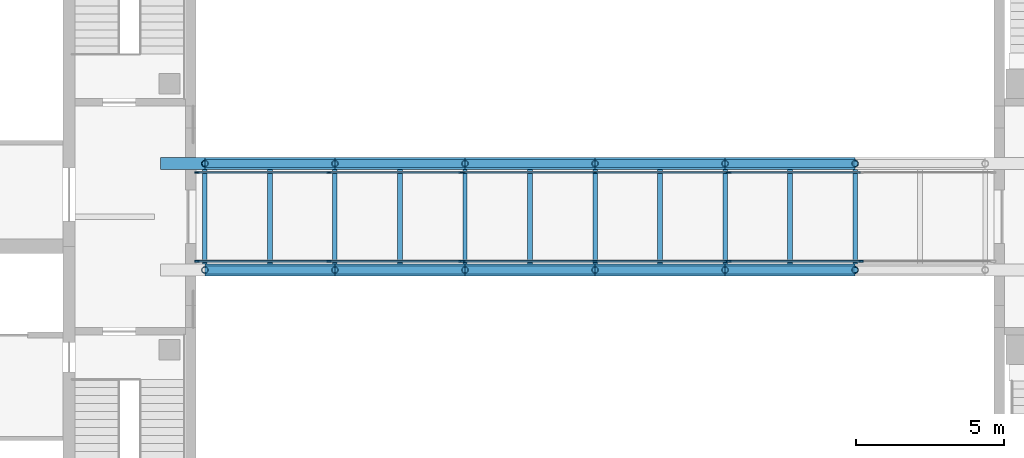
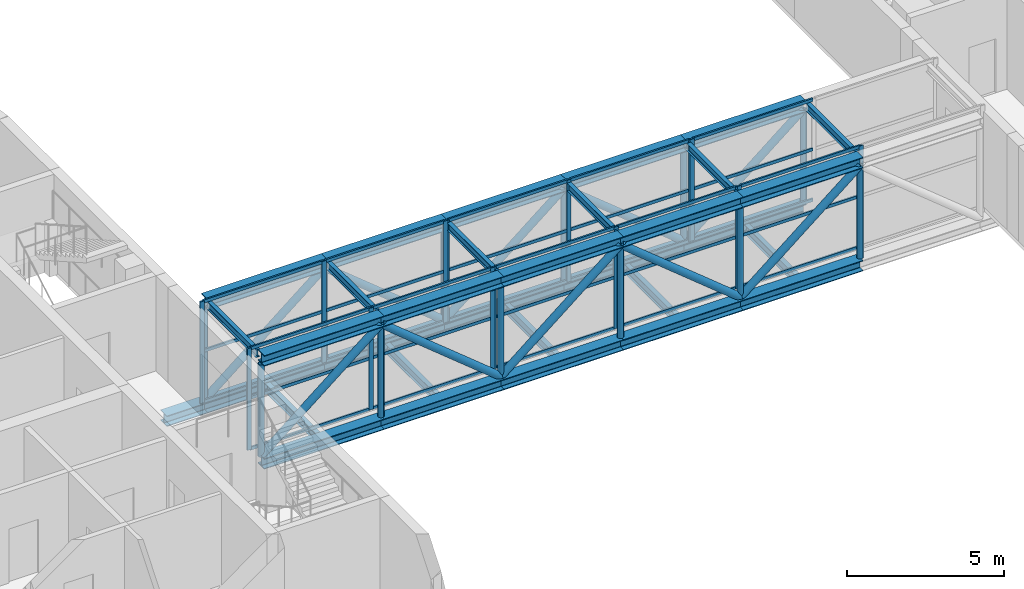
# One storey, part 5 of 21: 88 members, 11 beams, 6 elements without a shape of their own.
"""IFC4 building model written with IfcOpenShell, lengths in metres."""

from ifc_helpers import new_model, si_unit, direction, frame, origin, origin_2d, place, context, subcontext, project, spatial, rectangle, hollow_circle, i_section, extrude, material, material_profile, profile_set, type_object, element, aggregate, save


model = new_model("IFC4")

# Units and contexts
model_context = context("Model", 3, precision=1e-05, world=origin(), true_north=direction((0.0, 1.0)))
body_context = subcontext(model_context, "Body", "Model", "MODEL_VIEW")
ifc_project = project(units=[si_unit("LENGTHUNIT", "METRE"), si_unit("AREAUNIT", "SQUARE_METRE"), si_unit("VOLUMEUNIT", "CUBIC_METRE"), si_unit("PLANEANGLEUNIT", "RADIAN"), si_unit("MASSUNIT", "GRAM", prefix="KILO")], contexts=[model_context])

# Site, building, storey
site_placement = place(None, origin())
site = spatial("IfcSite", under=ifc_project, at=site_placement, CompositionType="ELEMENT")
building_placement = place(site_placement, origin())
building = spatial("IfcBuilding", under=site, at=building_placement, Name="Cinnabar Reach Civic Tower", CompositionType="ELEMENT")
storey_placement = place(building_placement, frame((0.0, 0.0, 140.0)))
storey = spatial("IfcBuildingStorey", under=building, at=storey_placement, Name="L33", CompositionType="ELEMENT", Elevation=140.0)

# Curtain wall, members
ifc_material_1 = material(Name="Aluminium and insulated spandrel panels", Category="aluminium")
curtain_wall_type = type_object("IfcCurtainWallType", Name="Bridge 2 enclosure curtain wall", PredefinedType="NOTDEFINED", material=ifc_material_1)
curtain_wall_1_placement = place(storey_placement, origin())
curtain_wall_1 = element("IfcCurtainWall", 1, at=curtain_wall_1_placement, inside=storey, type_object=curtain_wall_type, Name="Bridge 2 enclosure 1", PredefinedType="NOTDEFINED")
ifc_material_2 = material(Name="Aluminium", Category="aluminium")
ifc_material_profile_1 = material_profile(ifc_material_2, rectangle(XDim=0.06, YDim=0.16, at=origin_2d()), Name="Bridge 2 enclosure mullion")
ifc_profile_set_1 = profile_set([ifc_material_profile_1], Name="Aluminium")
member_type_1 = type_object("IfcMemberType", Name="Bridge 2 enclosure mullion", PredefinedType="MULLION", material=ifc_profile_set_1)
member_1_placement = place(storey_placement, frame((-26.97, 30.0, 0.0), z_axis=(0.0, 0.0, 1.0), x_axis=(0.0, 1.0, 0.0)))
member_1 = element("IfcMember", 2, at=member_1_placement, type_object=member_type_1, Name="CW-BR2-1 mullion 1", PredefinedType="MULLION", context=body_context, shape_type="SweptSolid", body=[
    extrude(rectangle(XDim=0.06, YDim=0.16, at=origin_2d()), origin(), (0.0, 0.0, 1.0), 3.95),
])
member_2_placement = place(storey_placement, frame((-22.5, 30.0, 0.0), z_axis=(0.0, 0.0, 1.0), x_axis=(0.0, 1.0, 0.0)))
member_2 = element("IfcMember", 3, at=member_2_placement, type_object=member_type_1, Name="CW-BR2-1 mullion 2", PredefinedType="MULLION", context=body_context, shape_type="SweptSolid", body=[
    extrude(rectangle(XDim=0.06, YDim=0.16, at=origin_2d()), origin(), (0.0, 0.0, 1.0), 3.95),
])
member_3_placement = place(storey_placement, frame((-18.03, 30.0, 0.0), z_axis=(0.0, 0.0, 1.0), x_axis=(0.0, 1.0, 0.0)))
member_3 = element("IfcMember", 4, at=member_3_placement, type_object=member_type_1, Name="CW-BR2-1 mullion 3", PredefinedType="MULLION", context=body_context, shape_type="SweptSolid", body=[
    extrude(rectangle(XDim=0.06, YDim=0.16, at=origin_2d()), origin(), (0.0, 0.0, 1.0), 3.95),
])

curtain_wall_2_placement = place(storey_placement, origin())
curtain_wall_2 = element("IfcCurtainWall", 5, at=curtain_wall_2_placement, inside=storey, type_object=curtain_wall_type, Name="Bridge 2 enclosure 2", PredefinedType="NOTDEFINED")
member_4_placement = place(storey_placement, frame((-17.97, 30.0, 0.0), z_axis=(0.0, 0.0, 1.0), x_axis=(0.0, 1.0, 0.0)))
member_4 = element("IfcMember", 6, at=member_4_placement, type_object=member_type_1, Name="CW-BR2-2 mullion 1", PredefinedType="MULLION", context=body_context, shape_type="SweptSolid", body=[
    extrude(rectangle(XDim=0.06, YDim=0.16, at=origin_2d()), origin(), (0.0, 0.0, 1.0), 3.95),
])
member_5_placement = place(storey_placement, frame((-13.5, 30.0, 0.0), z_axis=(0.0, 0.0, 1.0), x_axis=(0.0, 1.0, 0.0)))
member_5 = element("IfcMember", 7, at=member_5_placement, type_object=member_type_1, Name="CW-BR2-2 mullion 2", PredefinedType="MULLION", context=body_context, shape_type="SweptSolid", body=[
    extrude(rectangle(XDim=0.06, YDim=0.16, at=origin_2d()), origin(), (0.0, 0.0, 1.0), 3.95),
])
member_6_placement = place(storey_placement, frame((-9.03, 30.0, 0.0), z_axis=(0.0, 0.0, 1.0), x_axis=(0.0, 1.0, 0.0)))
member_6 = element("IfcMember", 8, at=member_6_placement, type_object=member_type_1, Name="CW-BR2-2 mullion 3", PredefinedType="MULLION", context=body_context, shape_type="SweptSolid", body=[
    extrude(rectangle(XDim=0.06, YDim=0.16, at=origin_2d()), origin(), (0.0, 0.0, 1.0), 3.95),
])

curtain_wall_3_placement = place(storey_placement, origin())
curtain_wall_3 = element("IfcCurtainWall", 9, at=curtain_wall_3_placement, inside=storey, type_object=curtain_wall_type, Name="Bridge 2 enclosure 3", PredefinedType="NOTDEFINED")
member_7_placement = place(storey_placement, frame((-8.97, 30.0, 0.0), z_axis=(0.0, 0.0, 1.0), x_axis=(0.0, 1.0, 0.0)))
member_7 = element("IfcMember", 10, at=member_7_placement, type_object=member_type_1, Name="CW-BR2-3 mullion 1", PredefinedType="MULLION", context=body_context, shape_type="SweptSolid", body=[
    extrude(rectangle(XDim=0.06, YDim=0.16, at=origin_2d()), origin(), (0.0, 0.0, 1.0), 3.95),
])
member_8_placement = place(storey_placement, frame((-4.5, 30.0, 0.0), z_axis=(0.0, 0.0, 1.0), x_axis=(0.0, 1.0, 0.0)))
member_8 = element("IfcMember", 11, at=member_8_placement, type_object=member_type_1, Name="CW-BR2-3 mullion 2", PredefinedType="MULLION", context=body_context, shape_type="SweptSolid", body=[
    extrude(rectangle(XDim=0.06, YDim=0.16, at=origin_2d()), origin(), (0.0, 0.0, 1.0), 3.95),
])

curtain_wall_4_placement = place(storey_placement, origin())
curtain_wall_4 = element("IfcCurtainWall", 12, at=curtain_wall_4_placement, inside=storey, type_object=curtain_wall_type, Name="Bridge 2 enclosure 4", PredefinedType="NOTDEFINED")
member_9_placement = place(storey_placement, frame((-26.97, 33.0, 0.0), z_axis=(0.0, 0.0, 1.0), x_axis=(0.0, 1.0, 0.0)))
member_9 = element("IfcMember", 13, at=member_9_placement, type_object=member_type_1, Name="CW-BR2-4 mullion 1", PredefinedType="MULLION", context=body_context, shape_type="SweptSolid", body=[
    extrude(rectangle(XDim=0.06, YDim=0.16, at=origin_2d()), origin(), (0.0, 0.0, 1.0), 3.95),
])
member_10_placement = place(storey_placement, frame((-22.5, 33.0, 0.0), z_axis=(0.0, 0.0, 1.0), x_axis=(0.0, 1.0, 0.0)))
member_10 = element("IfcMember", 14, at=member_10_placement, type_object=member_type_1, Name="CW-BR2-4 mullion 2", PredefinedType="MULLION", context=body_context, shape_type="SweptSolid", body=[
    extrude(rectangle(XDim=0.06, YDim=0.16, at=origin_2d()), origin(), (0.0, 0.0, 1.0), 3.95),
])
member_11_placement = place(storey_placement, frame((-18.03, 33.0, 0.0), z_axis=(0.0, 0.0, 1.0), x_axis=(0.0, 1.0, 0.0)))
member_11 = element("IfcMember", 15, at=member_11_placement, type_object=member_type_1, Name="CW-BR2-4 mullion 3", PredefinedType="MULLION", context=body_context, shape_type="SweptSolid", body=[
    extrude(rectangle(XDim=0.06, YDim=0.16, at=origin_2d()), origin(), (0.0, 0.0, 1.0), 3.95),
])

curtain_wall_5_placement = place(storey_placement, origin())
curtain_wall_5 = element("IfcCurtainWall", 16, at=curtain_wall_5_placement, inside=storey, type_object=curtain_wall_type, Name="Bridge 2 enclosure 5", PredefinedType="NOTDEFINED")
member_12_placement = place(storey_placement, frame((-17.97, 33.0, 0.0), z_axis=(0.0, 0.0, 1.0), x_axis=(0.0, 1.0, 0.0)))
member_12 = element("IfcMember", 17, at=member_12_placement, type_object=member_type_1, Name="CW-BR2-5 mullion 1", PredefinedType="MULLION", context=body_context, shape_type="SweptSolid", body=[
    extrude(rectangle(XDim=0.06, YDim=0.16, at=origin_2d()), origin(), (0.0, 0.0, 1.0), 3.95),
])
member_13_placement = place(storey_placement, frame((-13.5, 33.0, 0.0), z_axis=(0.0, 0.0, 1.0), x_axis=(0.0, 1.0, 0.0)))
member_13 = element("IfcMember", 18, at=member_13_placement, type_object=member_type_1, Name="CW-BR2-5 mullion 2", PredefinedType="MULLION", context=body_context, shape_type="SweptSolid", body=[
    extrude(rectangle(XDim=0.06, YDim=0.16, at=origin_2d()), origin(), (0.0, 0.0, 1.0), 3.95),
])
member_14_placement = place(storey_placement, frame((-9.03, 33.0, 0.0), z_axis=(0.0, 0.0, 1.0), x_axis=(0.0, 1.0, 0.0)))
member_14 = element("IfcMember", 19, at=member_14_placement, type_object=member_type_1, Name="CW-BR2-5 mullion 3", PredefinedType="MULLION", context=body_context, shape_type="SweptSolid", body=[
    extrude(rectangle(XDim=0.06, YDim=0.16, at=origin_2d()), origin(), (0.0, 0.0, 1.0), 3.95),
])

# Curtain wall, member
curtain_wall_6_placement = place(storey_placement, origin())
curtain_wall_6 = element("IfcCurtainWall", 20, at=curtain_wall_6_placement, inside=storey, type_object=curtain_wall_type, Name="Bridge 2 enclosure 6", PredefinedType="NOTDEFINED")
member_15_placement = place(storey_placement, frame((-8.97, 33.0, 0.0), z_axis=(0.0, 0.0, 1.0), x_axis=(0.0, 1.0, 0.0)))
member_15 = element("IfcMember", 21, at=member_15_placement, type_object=member_type_1, Name="CW-BR2-6 mullion 1", PredefinedType="MULLION", context=body_context, shape_type="SweptSolid", body=[
    extrude(rectangle(XDim=0.06, YDim=0.16, at=origin_2d()), origin(), (0.0, 0.0, 1.0), 3.95),
])

# Member
ifc_material_profile_2 = material_profile(ifc_material_2, rectangle(XDim=0.06, YDim=0.12, at=origin_2d()), Name="Bridge 2 enclosure transom")
ifc_profile_set_2 = profile_set([ifc_material_profile_2], Name="Aluminium")
member_type_2 = type_object("IfcMemberType", Name="Bridge 2 enclosure transom", PredefinedType="USERDEFINED", material=ifc_profile_set_2)
member_16_placement = place(storey_placement, frame((-26.94, 30.0, 0.03), z_axis=(1.0, 0.0, 0.0), x_axis=(0.0, 1.0, 0.0)))
member_16 = element("IfcMember", 22, at=member_16_placement, type_object=member_type_2, Name="CW-BR2-1 transom 1.1", ObjectType="TRANSOM", PredefinedType="USERDEFINED", context=body_context, shape_type="SweptSolid", body=[
    extrude(rectangle(XDim=0.06, YDim=0.12, at=origin_2d()), origin(), (0.0, 0.0, 1.0), 4.41),
])

member_17_placement = place(storey_placement, frame((-26.94, 30.0, 2.0), z_axis=(1.0, 0.0, 0.0), x_axis=(0.0, 1.0, 0.0)))
member_17 = element("IfcMember", 23, at=member_17_placement, type_object=member_type_2, Name="CW-BR2-1 transom 1.2", ObjectType="TRANSOM", PredefinedType="USERDEFINED", context=body_context, shape_type="SweptSolid", body=[
    extrude(rectangle(XDim=0.06, YDim=0.12, at=origin_2d()), origin(), (0.0, 0.0, 1.0), 4.41),
])

member_18_placement = place(storey_placement, frame((-26.94, 30.0, 3.92), z_axis=(1.0, 0.0, 0.0), x_axis=(0.0, 1.0, 0.0)))
member_18 = element("IfcMember", 24, at=member_18_placement, type_object=member_type_2, Name="CW-BR2-1 transom 1.3", ObjectType="TRANSOM", PredefinedType="USERDEFINED", context=body_context, shape_type="SweptSolid", body=[
    extrude(rectangle(XDim=0.06, YDim=0.12, at=origin_2d()), origin(), (0.0, 0.0, 1.0), 4.41),
])

member_19_placement = place(storey_placement, frame((-22.47, 30.0, 0.03), z_axis=(1.0, 0.0, 0.0), x_axis=(0.0, 1.0, 0.0)))
member_19 = element("IfcMember", 25, at=member_19_placement, type_object=member_type_2, Name="CW-BR2-1 transom 2.1", ObjectType="TRANSOM", PredefinedType="USERDEFINED", context=body_context, shape_type="SweptSolid", body=[
    extrude(rectangle(XDim=0.06, YDim=0.12, at=origin_2d()), origin(), (0.0, 0.0, 1.0), 4.41),
])

member_20_placement = place(storey_placement, frame((-22.47, 30.0, 2.0), z_axis=(1.0, 0.0, 0.0), x_axis=(0.0, 1.0, 0.0)))
member_20 = element("IfcMember", 26, at=member_20_placement, type_object=member_type_2, Name="CW-BR2-1 transom 2.2", ObjectType="TRANSOM", PredefinedType="USERDEFINED", context=body_context, shape_type="SweptSolid", body=[
    extrude(rectangle(XDim=0.06, YDim=0.12, at=origin_2d()), origin(), (0.0, 0.0, 1.0), 4.41),
])

member_21_placement = place(storey_placement, frame((-22.47, 30.0, 3.92), z_axis=(1.0, 0.0, 0.0), x_axis=(0.0, 1.0, 0.0)))
member_21 = element("IfcMember", 27, at=member_21_placement, type_object=member_type_2, Name="CW-BR2-1 transom 2.3", ObjectType="TRANSOM", PredefinedType="USERDEFINED", context=body_context, shape_type="SweptSolid", body=[
    extrude(rectangle(XDim=0.06, YDim=0.12, at=origin_2d()), origin(), (0.0, 0.0, 1.0), 4.41),
])

aggregate(curtain_wall_1, [member_1, member_2, member_3, member_16, member_17, member_18, member_19, member_20, member_21])

member_22_placement = place(storey_placement, frame((-17.94, 30.0, 0.03), z_axis=(1.0, 0.0, 0.0), x_axis=(0.0, 1.0, 0.0)))
member_22 = element("IfcMember", 28, at=member_22_placement, type_object=member_type_2, Name="CW-BR2-2 transom 1.1", ObjectType="TRANSOM", PredefinedType="USERDEFINED", context=body_context, shape_type="SweptSolid", body=[
    extrude(rectangle(XDim=0.06, YDim=0.12, at=origin_2d()), origin(), (0.0, 0.0, 1.0), 4.41),
])

member_23_placement = place(storey_placement, frame((-17.94, 30.0, 2.0), z_axis=(1.0, 0.0, 0.0), x_axis=(0.0, 1.0, 0.0)))
member_23 = element("IfcMember", 29, at=member_23_placement, type_object=member_type_2, Name="CW-BR2-2 transom 1.2", ObjectType="TRANSOM", PredefinedType="USERDEFINED", context=body_context, shape_type="SweptSolid", body=[
    extrude(rectangle(XDim=0.06, YDim=0.12, at=origin_2d()), origin(), (0.0, 0.0, 1.0), 4.41),
])

member_24_placement = place(storey_placement, frame((-17.94, 30.0, 3.92), z_axis=(1.0, 0.0, 0.0), x_axis=(0.0, 1.0, 0.0)))
member_24 = element("IfcMember", 30, at=member_24_placement, type_object=member_type_2, Name="CW-BR2-2 transom 1.3", ObjectType="TRANSOM", PredefinedType="USERDEFINED", context=body_context, shape_type="SweptSolid", body=[
    extrude(rectangle(XDim=0.06, YDim=0.12, at=origin_2d()), origin(), (0.0, 0.0, 1.0), 4.41),
])

member_25_placement = place(storey_placement, frame((-13.47, 30.0, 0.03), z_axis=(1.0, 0.0, 0.0), x_axis=(0.0, 1.0, 0.0)))
member_25 = element("IfcMember", 31, at=member_25_placement, type_object=member_type_2, Name="CW-BR2-2 transom 2.1", ObjectType="TRANSOM", PredefinedType="USERDEFINED", context=body_context, shape_type="SweptSolid", body=[
    extrude(rectangle(XDim=0.06, YDim=0.12, at=origin_2d()), origin(), (0.0, 0.0, 1.0), 4.41),
])

member_26_placement = place(storey_placement, frame((-13.47, 30.0, 2.0), z_axis=(1.0, 0.0, 0.0), x_axis=(0.0, 1.0, 0.0)))
member_26 = element("IfcMember", 32, at=member_26_placement, type_object=member_type_2, Name="CW-BR2-2 transom 2.2", ObjectType="TRANSOM", PredefinedType="USERDEFINED", context=body_context, shape_type="SweptSolid", body=[
    extrude(rectangle(XDim=0.06, YDim=0.12, at=origin_2d()), origin(), (0.0, 0.0, 1.0), 4.41),
])

member_27_placement = place(storey_placement, frame((-13.47, 30.0, 3.92), z_axis=(1.0, 0.0, 0.0), x_axis=(0.0, 1.0, 0.0)))
member_27 = element("IfcMember", 33, at=member_27_placement, type_object=member_type_2, Name="CW-BR2-2 transom 2.3", ObjectType="TRANSOM", PredefinedType="USERDEFINED", context=body_context, shape_type="SweptSolid", body=[
    extrude(rectangle(XDim=0.06, YDim=0.12, at=origin_2d()), origin(), (0.0, 0.0, 1.0), 4.41),
])

aggregate(curtain_wall_2, [member_4, member_5, member_6, member_22, member_23, member_24, member_25, member_26, member_27])

member_28_placement = place(storey_placement, frame((-8.94, 30.0, 0.03), z_axis=(1.0, 0.0, 0.0), x_axis=(0.0, 1.0, 0.0)))
member_28 = element("IfcMember", 34, at=member_28_placement, type_object=member_type_2, Name="CW-BR2-3 transom 1.1", ObjectType="TRANSOM", PredefinedType="USERDEFINED", context=body_context, shape_type="SweptSolid", body=[
    extrude(rectangle(XDim=0.06, YDim=0.12, at=origin_2d()), origin(), (0.0, 0.0, 1.0), 4.41),
])

member_29_placement = place(storey_placement, frame((-8.94, 30.0, 2.0), z_axis=(1.0, 0.0, 0.0), x_axis=(0.0, 1.0, 0.0)))
member_29 = element("IfcMember", 35, at=member_29_placement, type_object=member_type_2, Name="CW-BR2-3 transom 1.2", ObjectType="TRANSOM", PredefinedType="USERDEFINED", context=body_context, shape_type="SweptSolid", body=[
    extrude(rectangle(XDim=0.06, YDim=0.12, at=origin_2d()), origin(), (0.0, 0.0, 1.0), 4.41),
])

member_30_placement = place(storey_placement, frame((-8.94, 30.0, 3.92), z_axis=(1.0, 0.0, 0.0), x_axis=(0.0, 1.0, 0.0)))
member_30 = element("IfcMember", 36, at=member_30_placement, type_object=member_type_2, Name="CW-BR2-3 transom 1.3", ObjectType="TRANSOM", PredefinedType="USERDEFINED", context=body_context, shape_type="SweptSolid", body=[
    extrude(rectangle(XDim=0.06, YDim=0.12, at=origin_2d()), origin(), (0.0, 0.0, 1.0), 4.41),
])

aggregate(curtain_wall_3, [member_7, member_8, member_28, member_29, member_30])

member_31_placement = place(storey_placement, frame((-26.94, 33.0, 0.03), z_axis=(1.0, 0.0, 0.0), x_axis=(0.0, 1.0, 0.0)))
member_31 = element("IfcMember", 37, at=member_31_placement, type_object=member_type_2, Name="CW-BR2-4 transom 1.1", ObjectType="TRANSOM", PredefinedType="USERDEFINED", context=body_context, shape_type="SweptSolid", body=[
    extrude(rectangle(XDim=0.06, YDim=0.12, at=origin_2d()), origin(), (0.0, 0.0, 1.0), 4.41),
])

member_32_placement = place(storey_placement, frame((-26.94, 33.0, 2.0), z_axis=(1.0, 0.0, 0.0), x_axis=(0.0, 1.0, 0.0)))
member_32 = element("IfcMember", 38, at=member_32_placement, type_object=member_type_2, Name="CW-BR2-4 transom 1.2", ObjectType="TRANSOM", PredefinedType="USERDEFINED", context=body_context, shape_type="SweptSolid", body=[
    extrude(rectangle(XDim=0.06, YDim=0.12, at=origin_2d()), origin(), (0.0, 0.0, 1.0), 4.41),
])

member_33_placement = place(storey_placement, frame((-26.94, 33.0, 3.92), z_axis=(1.0, 0.0, 0.0), x_axis=(0.0, 1.0, 0.0)))
member_33 = element("IfcMember", 39, at=member_33_placement, type_object=member_type_2, Name="CW-BR2-4 transom 1.3", ObjectType="TRANSOM", PredefinedType="USERDEFINED", context=body_context, shape_type="SweptSolid", body=[
    extrude(rectangle(XDim=0.06, YDim=0.12, at=origin_2d()), origin(), (0.0, 0.0, 1.0), 4.41),
])

member_34_placement = place(storey_placement, frame((-22.47, 33.0, 0.03), z_axis=(1.0, 0.0, 0.0), x_axis=(0.0, 1.0, 0.0)))
member_34 = element("IfcMember", 40, at=member_34_placement, type_object=member_type_2, Name="CW-BR2-4 transom 2.1", ObjectType="TRANSOM", PredefinedType="USERDEFINED", context=body_context, shape_type="SweptSolid", body=[
    extrude(rectangle(XDim=0.06, YDim=0.12, at=origin_2d()), origin(), (0.0, 0.0, 1.0), 4.41),
])

member_35_placement = place(storey_placement, frame((-22.47, 33.0, 2.0), z_axis=(1.0, 0.0, 0.0), x_axis=(0.0, 1.0, 0.0)))
member_35 = element("IfcMember", 41, at=member_35_placement, type_object=member_type_2, Name="CW-BR2-4 transom 2.2", ObjectType="TRANSOM", PredefinedType="USERDEFINED", context=body_context, shape_type="SweptSolid", body=[
    extrude(rectangle(XDim=0.06, YDim=0.12, at=origin_2d()), origin(), (0.0, 0.0, 1.0), 4.41),
])

member_36_placement = place(storey_placement, frame((-22.47, 33.0, 3.92), z_axis=(1.0, 0.0, 0.0), x_axis=(0.0, 1.0, 0.0)))
member_36 = element("IfcMember", 42, at=member_36_placement, type_object=member_type_2, Name="CW-BR2-4 transom 2.3", ObjectType="TRANSOM", PredefinedType="USERDEFINED", context=body_context, shape_type="SweptSolid", body=[
    extrude(rectangle(XDim=0.06, YDim=0.12, at=origin_2d()), origin(), (0.0, 0.0, 1.0), 4.41),
])

aggregate(curtain_wall_4, [member_9, member_10, member_11, member_31, member_32, member_33, member_34, member_35, member_36])

member_37_placement = place(storey_placement, frame((-17.94, 33.0, 0.03), z_axis=(1.0, 0.0, 0.0), x_axis=(0.0, 1.0, 0.0)))
member_37 = element("IfcMember", 43, at=member_37_placement, type_object=member_type_2, Name="CW-BR2-5 transom 1.1", ObjectType="TRANSOM", PredefinedType="USERDEFINED", context=body_context, shape_type="SweptSolid", body=[
    extrude(rectangle(XDim=0.06, YDim=0.12, at=origin_2d()), origin(), (0.0, 0.0, 1.0), 4.41),
])

member_38_placement = place(storey_placement, frame((-17.94, 33.0, 2.0), z_axis=(1.0, 0.0, 0.0), x_axis=(0.0, 1.0, 0.0)))
member_38 = element("IfcMember", 44, at=member_38_placement, type_object=member_type_2, Name="CW-BR2-5 transom 1.2", ObjectType="TRANSOM", PredefinedType="USERDEFINED", context=body_context, shape_type="SweptSolid", body=[
    extrude(rectangle(XDim=0.06, YDim=0.12, at=origin_2d()), origin(), (0.0, 0.0, 1.0), 4.41),
])

member_39_placement = place(storey_placement, frame((-17.94, 33.0, 3.92), z_axis=(1.0, 0.0, 0.0), x_axis=(0.0, 1.0, 0.0)))
member_39 = element("IfcMember", 45, at=member_39_placement, type_object=member_type_2, Name="CW-BR2-5 transom 1.3", ObjectType="TRANSOM", PredefinedType="USERDEFINED", context=body_context, shape_type="SweptSolid", body=[
    extrude(rectangle(XDim=0.06, YDim=0.12, at=origin_2d()), origin(), (0.0, 0.0, 1.0), 4.41),
])

member_40_placement = place(storey_placement, frame((-13.47, 33.0, 0.03), z_axis=(1.0, 0.0, 0.0), x_axis=(0.0, 1.0, 0.0)))
member_40 = element("IfcMember", 46, at=member_40_placement, type_object=member_type_2, Name="CW-BR2-5 transom 2.1", ObjectType="TRANSOM", PredefinedType="USERDEFINED", context=body_context, shape_type="SweptSolid", body=[
    extrude(rectangle(XDim=0.06, YDim=0.12, at=origin_2d()), origin(), (0.0, 0.0, 1.0), 4.41),
])

member_41_placement = place(storey_placement, frame((-13.47, 33.0, 2.0), z_axis=(1.0, 0.0, 0.0), x_axis=(0.0, 1.0, 0.0)))
member_41 = element("IfcMember", 47, at=member_41_placement, type_object=member_type_2, Name="CW-BR2-5 transom 2.2", ObjectType="TRANSOM", PredefinedType="USERDEFINED", context=body_context, shape_type="SweptSolid", body=[
    extrude(rectangle(XDim=0.06, YDim=0.12, at=origin_2d()), origin(), (0.0, 0.0, 1.0), 4.41),
])

member_42_placement = place(storey_placement, frame((-13.47, 33.0, 3.92), z_axis=(1.0, 0.0, 0.0), x_axis=(0.0, 1.0, 0.0)))
member_42 = element("IfcMember", 48, at=member_42_placement, type_object=member_type_2, Name="CW-BR2-5 transom 2.3", ObjectType="TRANSOM", PredefinedType="USERDEFINED", context=body_context, shape_type="SweptSolid", body=[
    extrude(rectangle(XDim=0.06, YDim=0.12, at=origin_2d()), origin(), (0.0, 0.0, 1.0), 4.41),
])

aggregate(curtain_wall_5, [member_12, member_13, member_14, member_37, member_38, member_39, member_40, member_41, member_42])

member_43_placement = place(storey_placement, frame((-8.94, 33.0, 0.03), z_axis=(1.0, 0.0, 0.0), x_axis=(0.0, 1.0, 0.0)))
member_43 = element("IfcMember", 49, at=member_43_placement, type_object=member_type_2, Name="CW-BR2-6 transom 1.1", ObjectType="TRANSOM", PredefinedType="USERDEFINED", context=body_context, shape_type="SweptSolid", body=[
    extrude(rectangle(XDim=0.06, YDim=0.12, at=origin_2d()), origin(), (0.0, 0.0, 1.0), 4.41),
])

member_44_placement = place(storey_placement, frame((-8.94, 33.0, 2.0), z_axis=(1.0, 0.0, 0.0), x_axis=(0.0, 1.0, 0.0)))
member_44 = element("IfcMember", 50, at=member_44_placement, type_object=member_type_2, Name="CW-BR2-6 transom 1.2", ObjectType="TRANSOM", PredefinedType="USERDEFINED", context=body_context, shape_type="SweptSolid", body=[
    extrude(rectangle(XDim=0.06, YDim=0.12, at=origin_2d()), origin(), (0.0, 0.0, 1.0), 4.41),
])

member_45_placement = place(storey_placement, frame((-8.94, 33.0, 3.92), z_axis=(1.0, 0.0, 0.0), x_axis=(0.0, 1.0, 0.0)))
member_45 = element("IfcMember", 51, at=member_45_placement, type_object=member_type_2, Name="CW-BR2-6 transom 1.3", ObjectType="TRANSOM", PredefinedType="USERDEFINED", context=body_context, shape_type="SweptSolid", body=[
    extrude(rectangle(XDim=0.06, YDim=0.12, at=origin_2d()), origin(), (0.0, 0.0, 1.0), 4.41),
])

aggregate(curtain_wall_6, [member_15, member_43, member_44, member_45])

# Members
ifc_material_3 = material(Name="Steel Q355B", Category="steel")
ifc_material_profile_3 = material_profile(ifc_material_3, hollow_circle(Radius=0.1095, WallThickness=0.008, at=origin_2d()), Name="CHS219x8")
ifc_profile_set_3 = profile_set([ifc_material_profile_3], Name="Steel Q355B")
member_type_3 = type_object("IfcMemberType", Name="CHS219x8 bridge post", PredefinedType="POST", material=ifc_profile_set_3)
for number, where, z_axis, x_axis, name in (
    (52, (-26.7, 29.7, -0.15), (0.0, 0.0, 1.0), (1.0, 0.0, 0.0), "BR2 truss post"),
    (53, (-22.3, 29.7, -0.15), (0.0, 0.0, 1.0), (1.0, 0.0, 0.0), "BR2 truss post"),
    (54, (-17.9, 29.7, -0.15), (0.0, 0.0, 1.0), (1.0, 0.0, 0.0), "BR2 truss post"),
    (55, (-13.5, 29.7, -0.15), (0.0, 0.0, 1.0), (1.0, 0.0, 0.0), "BR2 truss post"),
    (56, (-9.1, 29.7, -0.15), (0.0, 0.0, 1.0), (1.0, 0.0, 0.0), "BR2 truss post"),
    (57, (-4.7, 29.7, -0.15), (0.0, 0.0, 1.0), (1.0, 0.0, 0.0), "BR2 truss post"),
    (58, (-26.7, 33.3, -0.15), (0.0, 0.0, 1.0), (1.0, 0.0, 0.0), "BR2 truss post"),
    (59, (-22.3, 33.3, -0.15), (0.0, 0.0, 1.0), (1.0, 0.0, 0.0), "BR2 truss post"),
    (60, (-17.9, 33.3, -0.15), (0.0, 0.0, 1.0), (1.0, 0.0, 0.0), "BR2 truss post"),
    (61, (-13.5, 33.3, -0.15), (0.0, 0.0, 1.0), (1.0, 0.0, 0.0), "BR2 truss post"),
    (62, (-9.1, 33.3, -0.15), (0.0, 0.0, 1.0), (1.0, 0.0, 0.0), "BR2 truss post"),
    (63, (-4.7, 33.3, -0.15), (0.0, 0.0, 1.0), (1.0, 0.0, 0.0), "BR2 truss post"),
):
    element("IfcMember", number, at=place(storey_placement, frame(where, z_axis=z_axis, x_axis=x_axis)), inside=storey, type_object=member_type_3, Name=name, PredefinedType="POST", context=body_context, shape_type="SweptSolid", body=[
        extrude(hollow_circle(Radius=0.1095, WallThickness=0.008, at=origin_2d()), origin(), (0.0, 0.0, 1.0), 3.586),
    ])
ifc_material_profile_4 = material_profile(ifc_material_3, hollow_circle(Radius=0.1365, WallThickness=0.01, at=origin_2d()), Name="CHS273x10")
ifc_profile_set_4 = profile_set([ifc_material_profile_4], Name="Steel Q355B")
member_type_4 = type_object("IfcMemberType", Name="CHS273x10 bridge brace", PredefinedType="BRACE", material=ifc_profile_set_4)
for number, where, z_axis, x_axis, name in (
    (64, (-26.7, 29.7, -0.15), (0.775164685486, 0.0, 0.631759218671), (0.0, 1.0, 0.0), "BR2 truss diagonal"),
    (65, (-22.3, 29.7, 3.436), (0.775164685486, 0.0, -0.631759218671), (0.0, 1.0, 0.0), "BR2 truss diagonal"),
    (66, (-17.9, 29.7, -0.15), (0.775164685486, 0.0, 0.631759218671), (0.0, 1.0, 0.0), "BR2 truss diagonal"),
    (67, (-13.5, 29.7, 3.436), (0.775164685486, 0.0, -0.631759218671), (0.0, 1.0, 0.0), "BR2 truss diagonal"),
    (68, (-9.1, 29.7, -0.15), (0.775164685486, 0.0, 0.631759218671), (0.0, 1.0, 0.0), "BR2 truss diagonal"),
    (69, (-26.7, 33.3, -0.15), (0.775164685486, 0.0, 0.631759218671), (0.0, 1.0, 0.0), "BR2 truss diagonal"),
    (70, (-22.3, 33.3, 3.436), (0.775164685486, 0.0, -0.631759218671), (0.0, 1.0, 0.0), "BR2 truss diagonal"),
    (71, (-17.9, 33.3, -0.15), (0.775164685486, 0.0, 0.631759218671), (0.0, 1.0, 0.0), "BR2 truss diagonal"),
    (72, (-13.5, 33.3, 3.436), (0.775164685486, 0.0, -0.631759218671), (0.0, 1.0, 0.0), "BR2 truss diagonal"),
    (73, (-9.1, 33.3, -0.15), (0.775164685486, 0.0, 0.631759218671), (0.0, 1.0, 0.0), "BR2 truss diagonal"),
):
    element("IfcMember", number, at=place(storey_placement, frame(where, z_axis=z_axis, x_axis=x_axis)), inside=storey, type_object=member_type_4, Name=name, PredefinedType="BRACE", context=body_context, shape_type="SweptSolid", body=[
        extrude(hollow_circle(Radius=0.1365, WallThickness=0.01, at=origin_2d()), origin(), (0.0, 0.0, 1.0), 5.6762),
    ])

# Beams
ifc_material_profile_5 = material_profile(ifc_material_3, i_section(OverallWidth=0.15, OverallDepth=0.3, WebThickness=0.0065, FlangeThickness=0.009, FilletRadius=0.013, at=origin_2d()), Name="HN300x150x6.5x9")
ifc_profile_set_5 = profile_set([ifc_material_profile_5], Name="Steel Q355B")
beam_type_1 = type_object("IfcBeamType", Name="HN300x150x6.5x9 beam", PredefinedType="BEAM", material=ifc_profile_set_5)
for number, where, z_axis, x_axis, name in (
    (74, (-26.7, 29.9025, 3.7), (0.0, 1.0, 0.0), (-1.0, 0.0, 0.0), "BR2 top bracing beam"),
    (75, (-22.3, 29.9025, 3.7), (0.0, 1.0, 0.0), (-1.0, 0.0, 0.0), "BR2 top bracing beam"),
    (76, (-17.9, 29.9025, 3.7), (0.0, 1.0, 0.0), (-1.0, 0.0, 0.0), "BR2 top bracing beam"),
    (77, (-13.5, 29.9025, 3.7), (0.0, 1.0, 0.0), (-1.0, 0.0, 0.0), "BR2 top bracing beam"),
    (78, (-9.1, 29.9025, 3.7), (0.0, 1.0, 0.0), (-1.0, 0.0, 0.0), "BR2 top bracing beam"),
    (79, (-4.7, 29.9025, 3.7), (0.0, 1.0, 0.0), (-1.0, 0.0, 0.0), "BR2 top bracing beam"),
):
    element("IfcBeam", number, at=place(storey_placement, frame(where, z_axis=z_axis, x_axis=x_axis)), inside=storey, type_object=beam_type_1, Name=name, PredefinedType="BEAM", context=body_context, shape_type="SweptSolid", body=[
        extrude(i_section(OverallWidth=0.15, OverallDepth=0.3, WebThickness=0.0065, FlangeThickness=0.009, FilletRadius=0.013, at=origin_2d()), origin(), (0.0, 0.0, 1.0), 3.195),
    ])
ifc_material_profile_6 = material_profile(ifc_material_3, i_section(OverallWidth=0.174, OverallDepth=0.346, WebThickness=0.006, FlangeThickness=0.009, FilletRadius=0.013, at=origin_2d()), Name="HN346x174x6x9")
ifc_profile_set_6 = profile_set([ifc_material_profile_6], Name="Steel Q355B")
beam_type_2 = type_object("IfcBeamType", Name="HN346x174x6x9 beam", PredefinedType="BEAM", material=ifc_profile_set_6)
for number, where, z_axis, x_axis, name in (
    (80, (-24.5, 29.9025, -0.323), (0.0, 1.0, 0.0), (-1.0, 0.0, 0.0), "BR2 floor beam"),
    (81, (-20.1, 29.9025, -0.323), (0.0, 1.0, 0.0), (-1.0, 0.0, 0.0), "BR2 floor beam"),
    (82, (-15.7, 29.9025, -0.323), (0.0, 1.0, 0.0), (-1.0, 0.0, 0.0), "BR2 floor beam"),
    (83, (-11.3, 29.9025, -0.323), (0.0, 1.0, 0.0), (-1.0, 0.0, 0.0), "BR2 floor beam"),
    (84, (-6.9, 29.9025, -0.323), (0.0, 1.0, 0.0), (-1.0, 0.0, 0.0), "BR2 floor beam"),
):
    element("IfcBeam", number, at=place(storey_placement, frame(where, z_axis=z_axis, x_axis=x_axis)), inside=storey, type_object=beam_type_2, Name=name, PredefinedType="BEAM", context=body_context, shape_type="SweptSolid", body=[
        extrude(i_section(OverallWidth=0.174, OverallDepth=0.346, WebThickness=0.006, FlangeThickness=0.009, FilletRadius=0.013, at=origin_2d()), origin(), (0.0, 0.0, 1.0), 3.195),
    ])

# Members
ifc_material_profile_7 = material_profile(ifc_material_3, i_section(OverallWidth=0.405, OverallDepth=0.414, WebThickness=0.018, FlangeThickness=0.028, FilletRadius=0.016, at=origin_2d()), Name="HW414x405x18x28")
ifc_profile_set_7 = profile_set([ifc_material_profile_7], Name="Steel Q355B")
member_type_5 = type_object("IfcMemberType", Name="HW414x405x18x28 bridge chord", PredefinedType="CHORD", material=ifc_profile_set_7)
for number, where, z_axis, x_axis, name in (
    (85, (-26.7, 29.7, -0.357), (1.0, 0.0, 0.0), (0.0, 1.0, 0.0), "BR2 truss bottom chord"),
    (86, (-22.3, 29.7, -0.357), (1.0, 0.0, 0.0), (0.0, 1.0, 0.0), "BR2 truss bottom chord"),
    (87, (-17.9, 29.7, -0.357), (1.0, 0.0, 0.0), (0.0, 1.0, 0.0), "BR2 truss bottom chord"),
    (88, (-13.5, 29.7, -0.357), (1.0, 0.0, 0.0), (0.0, 1.0, 0.0), "BR2 truss bottom chord"),
    (89, (-9.1, 29.7, -0.357), (1.0, 0.0, 0.0), (0.0, 1.0, 0.0), "BR2 truss bottom chord"),
    (90, (-26.7, 29.7, 3.643), (1.0, 0.0, 0.0), (0.0, 1.0, 0.0), "BR2 truss top chord"),
    (91, (-22.3, 29.7, 3.643), (1.0, 0.0, 0.0), (0.0, 1.0, 0.0), "BR2 truss top chord"),
    (92, (-17.9, 29.7, 3.643), (1.0, 0.0, 0.0), (0.0, 1.0, 0.0), "BR2 truss top chord"),
    (93, (-13.5, 29.7, 3.643), (1.0, 0.0, 0.0), (0.0, 1.0, 0.0), "BR2 truss top chord"),
    (94, (-9.1, 29.7, 3.643), (1.0, 0.0, 0.0), (0.0, 1.0, 0.0), "BR2 truss top chord"),
):
    element("IfcMember", number, at=place(storey_placement, frame(where, z_axis=z_axis, x_axis=x_axis)), inside=storey, type_object=member_type_5, Name=name, PredefinedType="CHORD", context=body_context, shape_type="SweptSolid", body=[
        extrude(i_section(OverallWidth=0.405, OverallDepth=0.414, WebThickness=0.018, FlangeThickness=0.028, FilletRadius=0.016, at=origin_2d()), origin(), (0.0, 0.0, 1.0), 4.4),
    ])
member_46_placement = place(storey_placement, frame((-28.2, 33.3, -0.357), z_axis=(1.0, 0.0, 0.0), x_axis=(0.0, 1.0, 0.0)))
element("IfcMember", 95, at=member_46_placement, inside=storey, type_object=member_type_5, Name="BR2 truss bottom chord", PredefinedType="CHORD", context=body_context, shape_type="SweptSolid", body=[
    extrude(i_section(OverallWidth=0.405, OverallDepth=0.414, WebThickness=0.018, FlangeThickness=0.028, FilletRadius=0.016, at=origin_2d()), origin(), (0.0, 0.0, 1.0), 1.5),
])
for number, where, z_axis, x_axis, name in (
    (96, (-26.7, 33.3, -0.357), (1.0, 0.0, 0.0), (0.0, 1.0, 0.0), "BR2 truss bottom chord"),
    (97, (-22.3, 33.3, -0.357), (1.0, 0.0, 0.0), (0.0, 1.0, 0.0), "BR2 truss bottom chord"),
    (98, (-17.9, 33.3, -0.357), (1.0, 0.0, 0.0), (0.0, 1.0, 0.0), "BR2 truss bottom chord"),
    (99, (-13.5, 33.3, -0.357), (1.0, 0.0, 0.0), (0.0, 1.0, 0.0), "BR2 truss bottom chord"),
    (100, (-9.1, 33.3, -0.357), (1.0, 0.0, 0.0), (0.0, 1.0, 0.0), "BR2 truss bottom chord"),
    (101, (-26.7, 33.3, 3.643), (1.0, 0.0, 0.0), (0.0, 1.0, 0.0), "BR2 truss top chord"),
    (102, (-22.3, 33.3, 3.643), (1.0, 0.0, 0.0), (0.0, 1.0, 0.0), "BR2 truss top chord"),
    (103, (-17.9, 33.3, 3.643), (1.0, 0.0, 0.0), (0.0, 1.0, 0.0), "BR2 truss top chord"),
    (104, (-13.5, 33.3, 3.643), (1.0, 0.0, 0.0), (0.0, 1.0, 0.0), "BR2 truss top chord"),
    (105, (-9.1, 33.3, 3.643), (1.0, 0.0, 0.0), (0.0, 1.0, 0.0), "BR2 truss top chord"),
):
    element("IfcMember", number, at=place(storey_placement, frame(where, z_axis=z_axis, x_axis=x_axis)), inside=storey, type_object=member_type_5, Name=name, PredefinedType="CHORD", context=body_context, shape_type="SweptSolid", body=[
        extrude(i_section(OverallWidth=0.405, OverallDepth=0.414, WebThickness=0.018, FlangeThickness=0.028, FilletRadius=0.016, at=origin_2d()), origin(), (0.0, 0.0, 1.0), 4.4),
    ])

save(model, "model.ifc")
